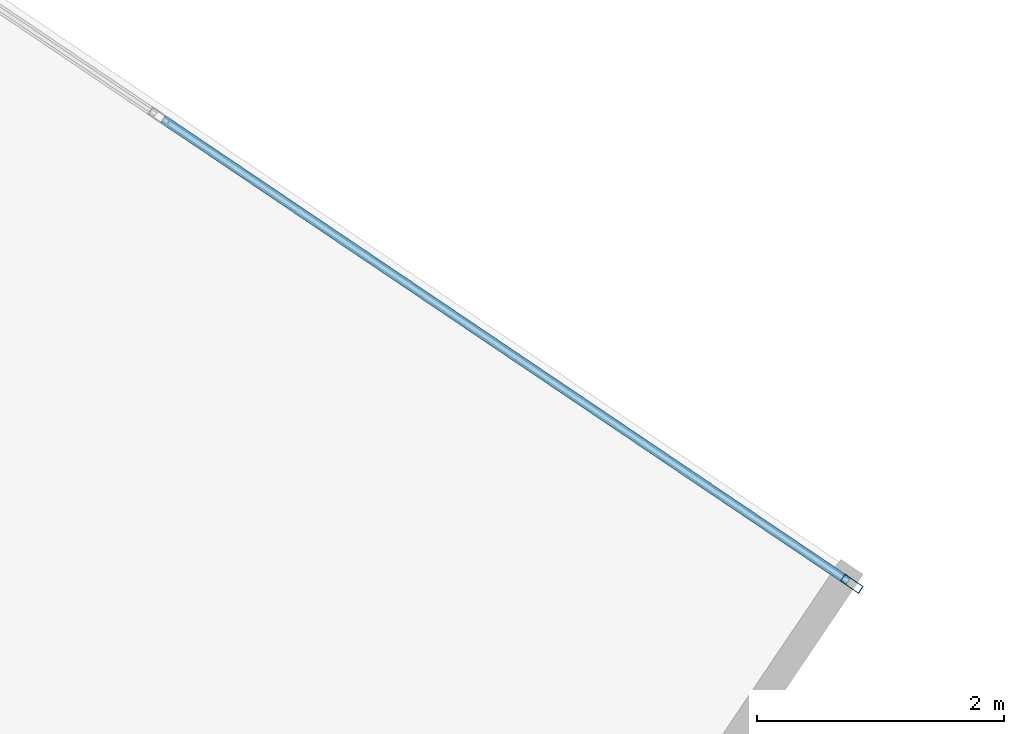
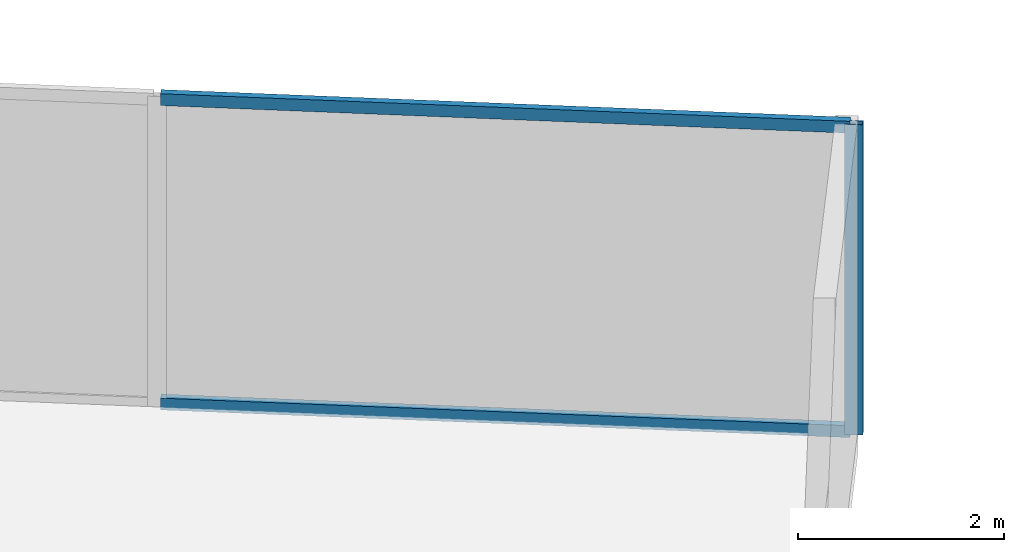
# One storey, part 20 of 27: 3 members, 1 element without a shape of its own.
"""IFC4 building model written with IfcOpenShell, lengths in metres."""

from ifc_helpers import new_model, si_unit, direction, frame, origin, origin_2d, place, context, subcontext, project, spatial, hollow_rectangle, extrude, source, transform, mapped, material, material_profile, profile_set, type_object, type_shapes, element, aggregate, save


model = new_model("IFC4")

# Units and contexts
model_context = context("Model", 3, precision=1e-05, world=origin(), true_north=direction((0.0, 1.0)))
body_context = subcontext(model_context, "Body", "Model", "MODEL_VIEW")
ifc_project = project(units=[si_unit("LENGTHUNIT", "METRE"), si_unit("AREAUNIT", "SQUARE_METRE"), si_unit("VOLUMEUNIT", "CUBIC_METRE"), si_unit("PLANEANGLEUNIT", "RADIAN"), si_unit("MASSUNIT", "GRAM", prefix="KILO")], contexts=[model_context])

# Site, building, storey
site_placement = place(None, origin())
site = spatial("IfcSite", under=ifc_project, at=site_placement, CompositionType="ELEMENT")
building_placement = place(site_placement, origin())
building = spatial("IfcBuilding", under=site, at=building_placement, Name="Krantzveldt Concourse Tower", CompositionType="ELEMENT")
storey_placement = place(building_placement, frame((0.0, 0.0, 189.64990234375)))
storey = spatial("IfcBuildingStorey", under=building, at=storey_placement, Name="L46", CompositionType="ELEMENT", Elevation=189.64990234375)

# Curtain wall, members
ifc_material = material(Name="Anodised aluminium 6063-T6", Category="aluminium")
curtain_wall_type = type_object("IfcCurtainWallType", Name="CW3", PredefinedType="USERDEFINED", material=ifc_material)
curtain_wall_placement = place(storey_placement, origin())
curtain_wall = element("IfcCurtainWall", 1, at=curtain_wall_placement, inside=storey, type_object=curtain_wall_type, Name="CW-L46-F10", ObjectType="UNITISED CURTAIN WALL", PredefinedType="USERDEFINED")
ifc_material_profile_1 = material_profile(ifc_material, hollow_rectangle(XDim=0.070068359375, YDim=0.179931640625, WallThickness=0.0048828125, at=origin_2d()), Name="Anodised aluminium 6063-T6", Category="aluminium")
ifc_profile_set_1 = profile_set([ifc_material_profile_1], Name="Anodised aluminium 6063-T6 - ALU-MULL 180x70x5")
member_type_1 = type_object("IfcMemberType", Name="CW-MUL-180", PredefinedType="MULLION", material=ifc_profile_set_1)
shared_shape_1 = source(origin(), body_context, "Body", "SweptSolid", [
    extrude(hollow_rectangle(XDim=0.070068359375, YDim=0.179931640625, WallThickness=0.0048828125, at=origin_2d()), origin(), (0.0, 0.0, 1.0), 3.670166015625),
])
type_shapes(member_type_1, [shared_shape_1])
member_1_placement = place(storey_placement, frame((62.59228515625, 35.071044921875, 0.0), z_axis=(0.0, 0.0, 1.0), x_axis=(-0.559192760874, -0.829037668737, 0.0)))
member_1 = element("IfcMember", 2, at=member_1_placement, type_object=member_type_1, Name="CW-Z34 mullion 1", PredefinedType="MULLION", context=body_context, shape_type="MappedRepresentation", body=[
    mapped(shared_shape_1, transform((0.0, 0.0, 0.0), x_axis=(1.0, 0.0, 0.0), y_axis=(0.0, 1.0, 0.0), z_axis=(0.0, 0.0, 1.0), scale=1.0)),
])
ifc_material_profile_2 = material_profile(ifc_material, hollow_rectangle(XDim=0.070068359375, YDim=0.139892578125, WallThickness=0.0048828125, at=origin_2d()), Name="Anodised aluminium 6063-T6", Category="aluminium")
ifc_profile_set_2 = profile_set([ifc_material_profile_2], Name="Anodised aluminium 6063-T6 - ALU-TRAN 140x70x5")
member_type_2 = type_object("IfcMemberType", Name="CW-TRN-150", PredefinedType="USERDEFINED", material=ifc_profile_set_2)
shared_shape_2 = source(origin(), body_context, "Body", "SweptSolid", [
    extrude(hollow_rectangle(XDim=0.070068359375, YDim=0.139892578125, WallThickness=0.0048828125, at=origin_2d()), origin(), (0.0, 0.0, 1.0), 6.695068359375),
])
type_shapes(member_type_2, [shared_shape_2])
member_2_placement = place(storey_placement, frame((62.563232421875, 35.090576171875, 0.03515625), z_axis=(-0.829053651382, 0.559169064891, 0.0), x_axis=(-0.559169064891, -0.829053651382, 0.0)))
member_2 = element("IfcMember", 3, at=member_2_placement, type_object=member_type_2, Name="CW-Z34 transom 1.1", ObjectType="TRANSOM", PredefinedType="USERDEFINED", context=body_context, shape_type="MappedRepresentation", body=[
    mapped(shared_shape_2, transform((0.0, 0.0, 0.0), x_axis=(1.0, 0.0, 0.0), y_axis=(0.0, 1.0, 0.0), z_axis=(0.0, 0.0, 1.0), scale=1.0)),
])
member_3_placement = place(storey_placement, frame((62.563232421875, 35.090576171875, 3.635009765625), z_axis=(-0.829053651382, 0.559169064891, 0.0), x_axis=(-0.559169064891, -0.829053651382, 0.0)))
member_3 = element("IfcMember", 4, at=member_3_placement, type_object=member_type_2, Name="CW-Z34 transom 1.2", ObjectType="TRANSOM", PredefinedType="USERDEFINED", context=body_context, shape_type="MappedRepresentation", body=[
    mapped(shared_shape_2, transform((0.0, 0.0, 0.0), x_axis=(1.0, 0.0, 0.0), y_axis=(0.0, 1.0, 0.0), z_axis=(0.0, 0.0, 1.0), scale=1.0)),
])
aggregate(curtain_wall, [member_1, member_2, member_3])

save(model, "model.ifc")
